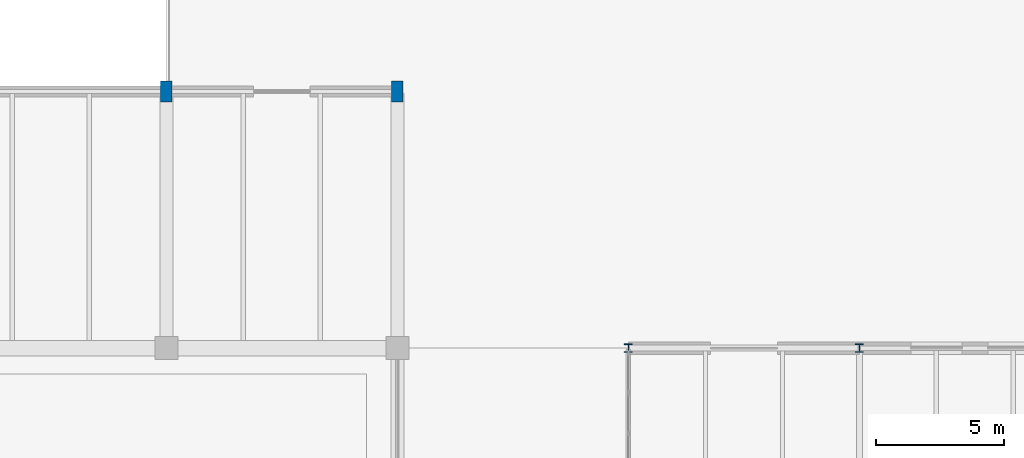
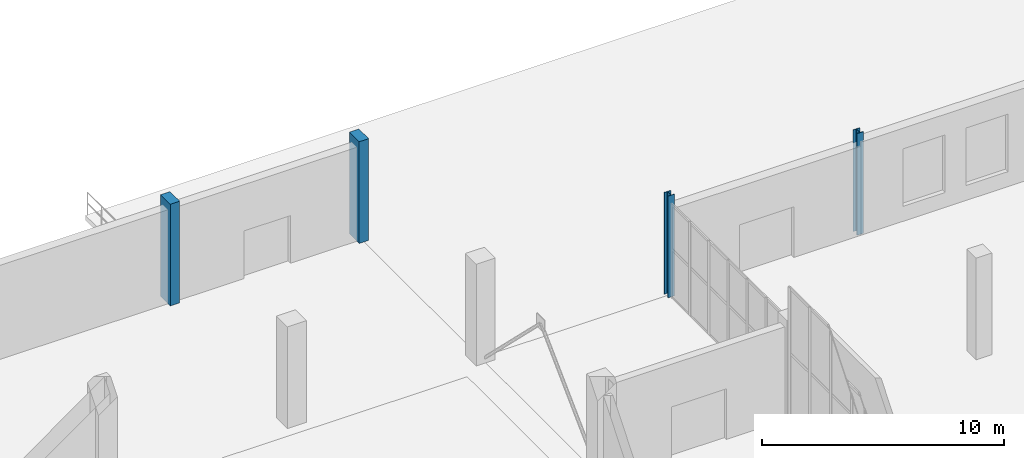
# One storey, part 24 of 103: 4 columns.
"""IFC4 building model written with IfcOpenShell, lengths in metres."""

from ifc_helpers import new_model, si_unit, direction, frame, origin, origin_2d, place, context, subcontext, project, spatial, rectangle, i_section, extrude, material, material_profile, profile_set, type_object, element, save


model = new_model("IFC4")

# Units and contexts
model_context = context("Model", 3, precision=1e-05, world=origin(), true_north=direction((0.0, 1.0)))
body_context = subcontext(model_context, "Body", "Model", "MODEL_VIEW")
ifc_project = project(units=[si_unit("LENGTHUNIT", "METRE"), si_unit("AREAUNIT", "SQUARE_METRE"), si_unit("VOLUMEUNIT", "CUBIC_METRE"), si_unit("PLANEANGLEUNIT", "RADIAN"), si_unit("MASSUNIT", "GRAM", prefix="KILO")], contexts=[model_context])

# Site, building, storey
site_placement = place(None, origin())
site = spatial("IfcSite", under=ifc_project, at=site_placement, CompositionType="ELEMENT")
building_placement = place(site_placement, origin())
building = spatial("IfcBuilding", under=site, at=building_placement, Name="Marnock Terrace Opera House", CompositionType="ELEMENT")
storey_placement = place(building_placement, origin())
storey = spatial("IfcBuildingStorey", under=building, at=storey_placement, Name="L00", CompositionType="ELEMENT", Elevation=0.0)

# Columns
ifc_material_1 = material(Name="Concrete N40 (f'c = 40 MPa)", Category="concrete")
ifc_material_profile_1 = material_profile(ifc_material_1, rectangle(XDim=0.449951171875, YDim=0.800048828125, at=origin_2d()))
ifc_profile_set_1 = profile_set([ifc_material_profile_1], Name="Concrete N40 (f'c = 40 MPa)")
column_type_1 = type_object("IfcColumnType", Name="COL-PIL-800", PredefinedType="PILASTER", material=ifc_profile_set_1)
for number, where, z_axis, x_axis, name in (
    (1, (100.0, 114.0, 0.0), (0.0, 0.0, 1.0), (1.0, 0.0, 0.0), "L00 column at (100.0, 114.0)"),
    (2, (109.0, 114.0, 0.0), (0.0, 0.0, 1.0), (1.0, 0.0, 0.0), "L00 column at (109.0, 114.0)"),
):
    element("IfcColumn", number, at=place(storey_placement, frame(where, z_axis=z_axis, x_axis=x_axis)), inside=storey, type_object=column_type_1, Name=name, PredefinedType="PILASTER", context=body_context, shape_type="SweptSolid", body=[
        extrude(rectangle(XDim=0.449951171875, YDim=0.800048828125, at=origin_2d()), origin(), (0.0, 0.0, 1.0), 5.1201171875),
    ])
ifc_material_2 = material(Name="Steel Grade 350 (AS/NZS 3679.1)", Category="steel")
ifc_material_profile_2 = material_profile(ifc_material_2, i_section(OverallWidth=0.31103515625, OverallDepth=0.3271484375, WebThickness=0.015625, FlangeThickness=0.02490234375, FilletRadius=0.0166015625, at=origin_2d()))
ifc_profile_set_2 = profile_set([ifc_material_profile_2], Name="Steel Grade 350 (AS/NZS 3679.1)")
column_type_2 = type_object("IfcColumnType", Name="COL-UC310A", PredefinedType="COLUMN", material=ifc_profile_set_2)
for number, where, z_axis, x_axis, name in (
    (3, (118.0, 104.0, 0.0), (0.0, 0.0, 1.0), (1.0, 0.0, 0.0), "L00 column at (118.0, 104.0)"),
    (4, (127.0, 104.0, 0.0), (0.0, 0.0, 1.0), (1.0, 0.0, 0.0), "L00 column at (127.0, 104.0)"),
):
    element("IfcColumn", number, at=place(storey_placement, frame(where, z_axis=z_axis, x_axis=x_axis)), inside=storey, type_object=column_type_2, Name=name, PredefinedType="COLUMN", context=body_context, shape_type="SweptSolid", body=[
        extrude(i_section(OverallWidth=0.31103515625, OverallDepth=0.3271484375, WebThickness=0.015625, FlangeThickness=0.02490234375, FilletRadius=0.0166015625, at=origin_2d()), origin(), (0.0, 0.0, 1.0), 5.1201171875),
    ])

save(model, "model.ifc")
